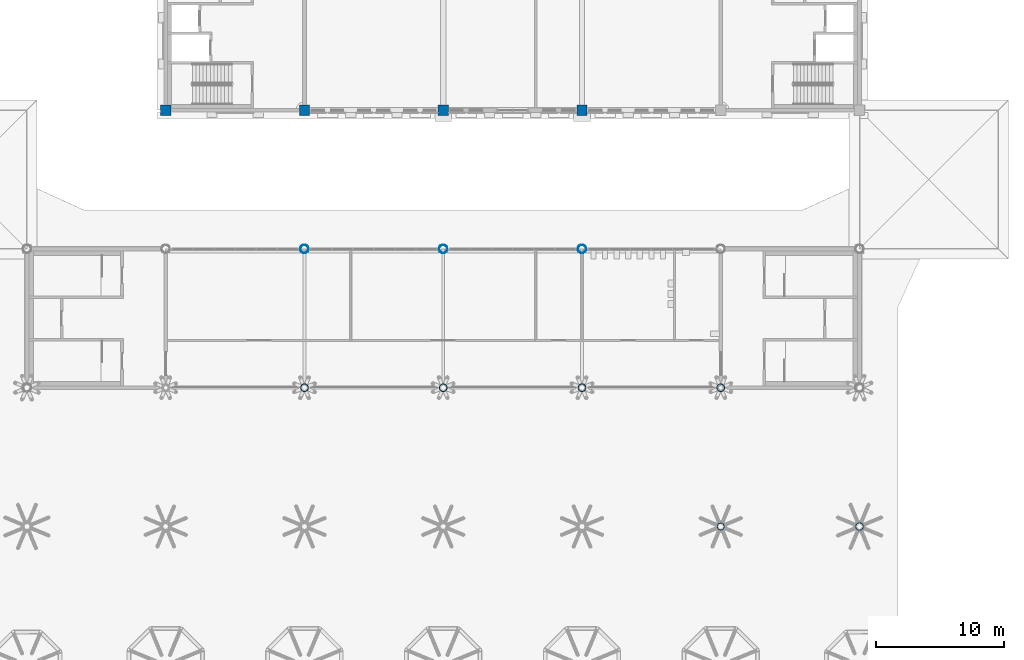
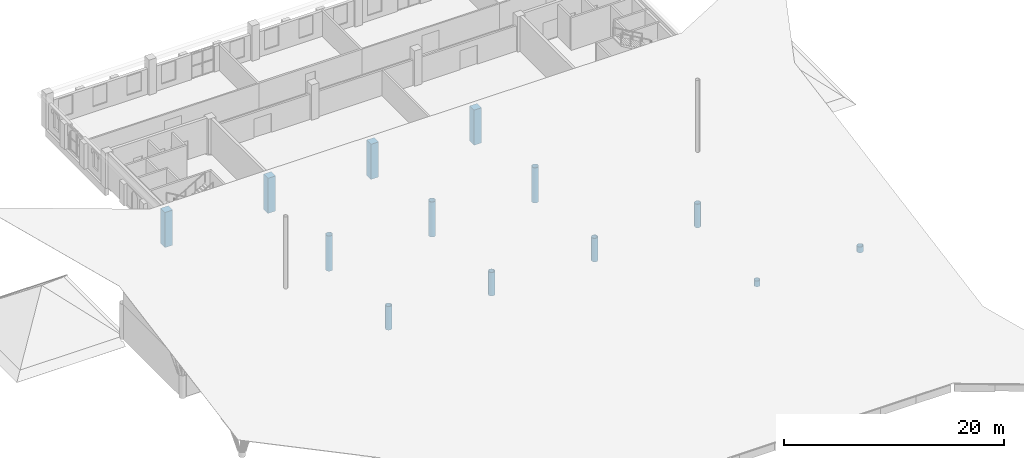
# One storey, part 2 of 56: 13 columns.
"""IFC4 building model written with IfcOpenShell, lengths in metres."""

from ifc_helpers import new_model, si_unit, direction, frame, origin, origin_2d, place, context, subcontext, project, spatial, rectangle, hollow_circle, extrude, material, material_profile, profile_set, type_object, element, save


model = new_model("IFC4")

# Units and contexts
model_context = context("Model", 3, precision=1e-05, world=origin(), true_north=direction((0.0, 1.0)))
body_context = subcontext(model_context, "Body", "Model", "MODEL_VIEW")
ifc_project = project(units=[si_unit("LENGTHUNIT", "METRE"), si_unit("AREAUNIT", "SQUARE_METRE"), si_unit("VOLUMEUNIT", "CUBIC_METRE"), si_unit("PLANEANGLEUNIT", "RADIAN"), si_unit("MASSUNIT", "GRAM", prefix="KILO")], contexts=[model_context])

# Site, building, storey
site_placement = place(None, origin())
site = spatial("IfcSite", under=ifc_project, at=site_placement, CompositionType="ELEMENT")
building_placement = place(site_placement, origin())
building = spatial("IfcBuilding", under=site, at=building_placement, Name="Magnolia Steps Interchange", CompositionType="ELEMENT")
storey_placement = place(building_placement, frame((0.0, 0.0, 8.699951171875)))
storey = spatial("IfcBuildingStorey", under=building, at=storey_placement, Name="L02", CompositionType="ELEMENT", Elevation=8.699951171875)

# Columns
ifc_material_1 = material(Name="Concrete C40", Category="concrete")
ifc_material_profile_1 = material_profile(ifc_material_1, rectangle(XDim=0.800048828125, YDim=0.800048828125, at=origin_2d()), Name="RC800x800")
ifc_profile_set_1 = profile_set([ifc_material_profile_1], Name="Concrete C40")
column_type_1 = type_object("IfcColumnType", Name="RC column 800x800", PredefinedType="COLUMN", material=ifc_profile_set_1)
for number, where, z_axis, x_axis, name in (
    (1, (64.0, 96.39990234375, 0.0), (0.0, 0.0, 1.0), (1.0, 0.0, 0.0), "Column OPE-6I L02"),
    (2, (74.800048828125, 96.39990234375, 0.0), (0.0, 0.0, 1.0), (1.0, 0.0, 0.0), "Column OPE-7I L02"),
    (3, (85.60009765625, 96.39990234375, 0.0), (0.0, 0.0, 1.0), (1.0, 0.0, 0.0), "Column OPE-8I L02"),
    (4, (96.39990234375, 96.39990234375, 0.0), (0.0, 0.0, 1.0), (1.0, 0.0, 0.0), "Column OPE-9I L02"),
):
    element("IfcColumn", number, at=place(storey_placement, frame(where, z_axis=z_axis, x_axis=x_axis)), inside=storey, type_object=column_type_1, Name=name, PredefinedType="COLUMN", context=body_context, shape_type="SweptSolid", body=[
        extrude(rectangle(XDim=0.800048828125, YDim=0.800048828125, at=origin_2d()), origin(), (0.0, 0.0, 1.0), 3.900146484375),
    ])
ifc_material_2 = material(Name="Steel Q355B", Category="steel")
ifc_material_profile_2 = material_profile(ifc_material_2, hollow_circle(Radius=0.279541015625, WallThickness=0.02001953125, at=origin_2d()), Name="CHS559x20")
ifc_profile_set_2 = profile_set([ifc_material_profile_2], Name="Steel Q355B")
column_type_2 = type_object("IfcColumnType", Name="Tree trunk CHS559x20", PredefinedType="COLUMN", material=ifc_profile_set_2)
column_1_placement = place(storey_placement, frame((107.199951171875, 64.0, 0.0), z_axis=(0.0, 0.0, 1.0), x_axis=(1.0, 0.0, 0.0)))
element("IfcColumn", 5, at=column_1_placement, inside=storey, type_object=column_type_2, Name="Tree trunk TH06C", PredefinedType="COLUMN", context=body_context, shape_type="SweptSolid", body=[
    extrude(hollow_circle(Radius=0.279541015625, WallThickness=0.02001953125, at=origin_2d()), origin(), (0.0, 0.0, 1.0), 0.64013671875),
])
ifc_material_3 = material(Name="Steel Q355B", Category="steel")
ifc_material_profile_3 = material_profile(ifc_material_3, hollow_circle(Radius=0.304931640625, WallThickness=0.02490234375, at=origin_2d()), Name="CHS610x25")
ifc_profile_set_3 = profile_set([ifc_material_profile_3], Name="Steel Q355B")
column_type_3 = type_object("IfcColumnType", Name="Tree trunk CHS610x25", PredefinedType="COLUMN", material=ifc_profile_set_3)
for number, where, z_axis, x_axis, name in (
    (6, (74.800048828125, 74.800048828125, 0.0), (0.0, 0.0, 1.0), (1.0, 0.0, 0.0), "Tree trunk TH03D"),
    (7, (85.60009765625, 74.800048828125, 0.0), (0.0, 0.0, 1.0), (1.0, 0.0, 0.0), "Tree trunk TH04D"),
    (8, (96.39990234375, 74.800048828125, 0.0), (0.0, 0.0, 1.0), (1.0, 0.0, 0.0), "Tree trunk TH05D"),
    (9, (107.199951171875, 74.800048828125, 0.0), (0.0, 0.0, 1.0), (1.0, 0.0, 0.0), "Tree trunk TH06D"),
):
    element("IfcColumn", number, at=place(storey_placement, frame(where, z_axis=z_axis, x_axis=x_axis)), inside=storey, type_object=column_type_3, Name=name, PredefinedType="COLUMN", context=body_context, shape_type="SweptSolid", body=[
        extrude(hollow_circle(Radius=0.304931640625, WallThickness=0.02490234375, at=origin_2d()), origin(), (0.0, 0.0, 1.0), 2.61572265625),
    ])
column_2_placement = place(storey_placement, frame((118.0, 64.0, 0.0), z_axis=(0.0, 0.0, 1.0), x_axis=(1.0, 0.0, 0.0)))
element("IfcColumn", 10, at=column_2_placement, inside=storey, type_object=column_type_3, Name="Tree trunk TH07C", PredefinedType="COLUMN", context=body_context, shape_type="SweptSolid", body=[
    extrude(hollow_circle(Radius=0.304931640625, WallThickness=0.02490234375, at=origin_2d()), origin(), (0.0, 0.0, 1.0), 0.64013671875),
])
ifc_material_4 = material(Name="Steel Q355B", Category="steel")
ifc_material_profile_4 = material_profile(ifc_material_4, hollow_circle(Radius=0.330078125, WallThickness=0.02490234375, at=origin_2d()), Name="CHS660x25")
ifc_profile_set_4 = profile_set([ifc_material_profile_4], Name="Steel Q355B")
column_type_4 = type_object("IfcColumnType", Name="Tree trunk CHS660x25", PredefinedType="COLUMN", material=ifc_profile_set_4)
for number, where, z_axis, x_axis, name in (
    (11, (74.800048828125, 85.60009765625, 0.0), (0.0, 0.0, 1.0), (1.0, 0.0, 0.0), "Tree trunk TH03E"),
    (12, (85.60009765625, 85.60009765625, 0.0), (0.0, 0.0, 1.0), (1.0, 0.0, 0.0), "Tree trunk TH04E"),
    (13, (96.39990234375, 85.60009765625, 0.0), (0.0, 0.0, 1.0), (1.0, 0.0, 0.0), "Tree trunk TH05E"),
):
    element("IfcColumn", number, at=place(storey_placement, frame(where, z_axis=z_axis, x_axis=x_axis)), inside=storey, type_object=column_type_4, Name=name, PredefinedType="COLUMN", context=body_context, shape_type="SweptSolid", body=[
        extrude(hollow_circle(Radius=0.330078125, WallThickness=0.02490234375, at=origin_2d()), origin(), (0.0, 0.0, 1.0), 3.900146484375),
    ])

save(model, "model.ifc")
